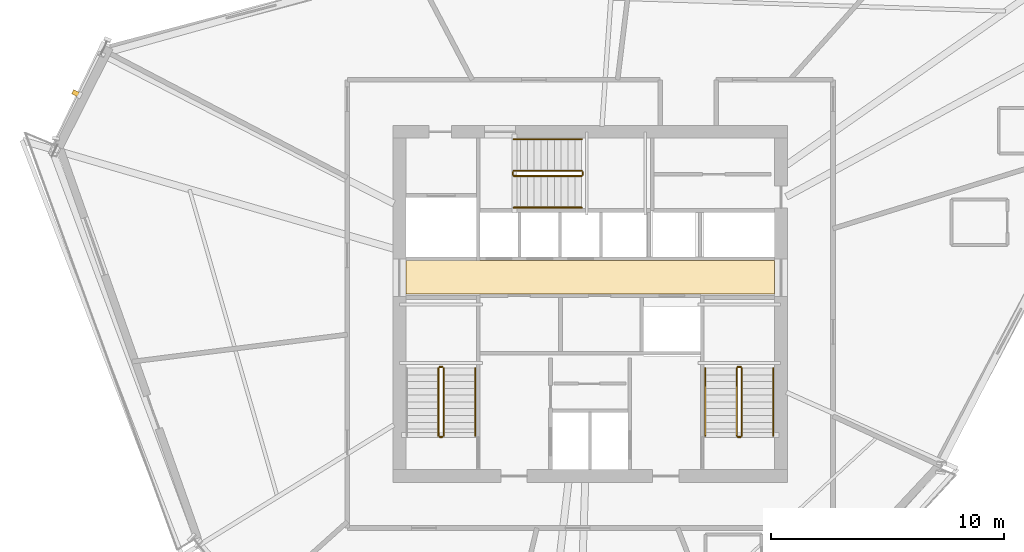
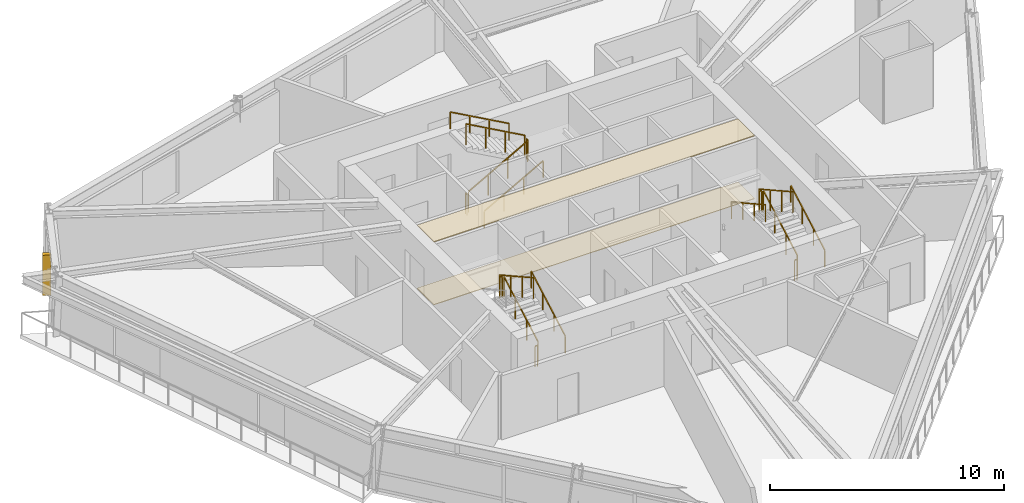
# One storey, part 14 of 15: 17 railings, 2 coverings, 1 shading device.
"""IFC4 building model written with IfcOpenShell, lengths in metres."""

from ifc_helpers import new_model, si_unit, direction, frame, origin, origin_2d, place, context, subcontext, project, spatial, polyline, rectangle, outline, extrude, source, transform, mapped, material, layer, layer_set, type_object, element, save


model = new_model("IFC4")

# Units and contexts
model_context = context("Model", 3, precision=1e-05, world=origin(), true_north=direction((0.0, 1.0)))
body_context = subcontext(model_context, "Body", "Model", "MODEL_VIEW")
ifc_project = project(units=[si_unit("LENGTHUNIT", "METRE"), si_unit("AREAUNIT", "SQUARE_METRE"), si_unit("VOLUMEUNIT", "CUBIC_METRE"), si_unit("PLANEANGLEUNIT", "RADIAN"), si_unit("MASSUNIT", "GRAM", prefix="KILO")], contexts=[model_context])

# Site, building, storey
site_placement = place(None, origin())
site = spatial("IfcSite", under=ifc_project, at=site_placement, CompositionType="ELEMENT")
building_placement = place(site_placement, origin())
building = spatial("IfcBuilding", under=site, at=building_placement, Name="Olszyna Solenne Hotel", CompositionType="ELEMENT")
storey_placement = place(building_placement, frame((0.0, 0.0, 160.800048828125)))
storey = spatial("IfcBuildingStorey", under=building, at=storey_placement, Name="L42", CompositionType="ELEMENT", Elevation=160.800048828125)

# Coverings
ifc_material_1 = material(Name="Mineral wool acoustic ceiling")
ifc_layer_1 = layer(ifc_material_1, 0.0400390625, Name="Mineral wool acoustic ceiling")
ifc_layer_set_1 = layer_set([ifc_layer_1], Name="Mineral wool acoustic ceiling")
covering_type_1 = type_object("IfcCoveringType", Name="CL-AC1", PredefinedType="CEILING", material=ifc_layer_set_1)
covering_1_placement = place(storey_placement, frame((0.0, 0.0, 3.27001953125)))
element("IfcCovering", 1, at=covering_1_placement, inside=storey, type_object=covering_type_1, Name="Lift lobby acoustic tile ceiling CL-L42-01", PredefinedType="CEILING", context=body_context, shape_type="SweptSolid", body=[
    extrude(outline(polyline([(30.10009765625, 27.030029296875), (45.89990234375, 27.030029296875), (45.89990234375, 28.4599609375), (30.10009765625, 28.4599609375), (30.10009765625, 27.030029296875)])), origin(), (0.0, 0.0, 1.0), 0.0400390625),
])
ifc_material_2 = material(Name="Ceramic floor tile")
ifc_layer_2 = layer(ifc_material_2, 0.030029296875, Name="Ceramic floor tile")
ifc_layer_set_2 = layer_set([ifc_layer_2], Name="Ceramic floor tile")
covering_type_2 = type_object("IfcCoveringType", Name="FL-TL1", PredefinedType="FLOORING", material=ifc_layer_set_2)
covering_2_placement = place(storey_placement, origin())
element("IfcCovering", 2, at=covering_2_placement, inside=storey, type_object=covering_type_2, Name="Lift lobby stoneware floor finish FLR-L42-01", PredefinedType="FLOORING", context=body_context, shape_type="SweptSolid", body=[
    extrude(outline(polyline([(30.10009765625, 27.030029296875), (45.89990234375, 27.030029296875), (45.89990234375, 28.4599609375), (30.10009765625, 28.4599609375), (30.10009765625, 27.030029296875)])), origin(), (0.0, 0.0, 1.0), 0.030029296875),
])

# Railings
ifc_material_3 = material(Name="Anodised bronze aluminium", Category="aluminium")
railing_type_1 = type_object("IfcRailingType", Name="GR-110", PredefinedType="BALUSTRADE", material=ifc_material_3)
railing_1_placement = place(storey_placement, frame((31.719970703125, 20.949951171875, 0.161376953125)))
element("IfcRailing", 3, at=railing_1_placement, inside=storey, type_object=railing_type_1, Name="L42 ST1 stair guard 1", PredefinedType="BALUSTRADE", context=body_context, shape_type="SweptSolid", body=[
    extrude(rectangle(XDim=0.048095703125, YDim=0.048095703125, at=origin_2d()), frame((0.0, 0.0, 1.076171875), z_axis=(0.0, 0.873858693841, 0.486179990537), x_axis=(-1.0, 0.0, 0.0)), (0.0, 0.0, 1.0), 3.31884765625),
    extrude(rectangle(XDim=0.0419921875, YDim=0.0419921875, at=origin_2d()), origin(), (0.0, 0.0, 1.0), 1.052001953125),
    extrude(rectangle(XDim=0.0419921875, YDim=0.0419921875, at=origin_2d()), frame((0.0, 0.966796875, 0.537841796875)), (0.0, 0.0, 1.0), 1.052001953125),
    extrude(rectangle(XDim=0.0419921875, YDim=0.0419921875, at=origin_2d()), frame((0.0, 1.933349609375, 1.07568359375)), (0.0, 0.0, 1.0), 1.052001953125),
    extrude(rectangle(XDim=0.0419921875, YDim=0.0419921875, at=origin_2d()), frame((0.0, 2.900146484375, 1.613525390625)), (0.0, 0.0, 1.0), 1.052001953125),
])
railing_2_placement = place(storey_placement, frame((31.669921875, 23.89990234375, 1.77490234375)))
element("IfcRailing", 4, at=railing_2_placement, inside=storey, type_object=railing_type_1, Name="L42 ST1 stair guard 2", PredefinedType="BALUSTRADE", context=body_context, shape_type="SweptSolid", body=[
    extrude(rectangle(XDim=0.048095703125, YDim=0.048095703125, at=origin_2d()), frame((0.0, 0.0, 1.076171875), z_axis=(-1.0, 0.0, 0.0), x_axis=(0.0, -1.0, 0.0)), (0.0, 0.0, 1.0), 0.119873046875),
    extrude(rectangle(XDim=0.0419921875, YDim=0.0419921875, at=origin_2d()), origin(), (0.0, 0.0, 1.0), 1.052001953125),
    extrude(rectangle(XDim=0.0419921875, YDim=0.0419921875, at=origin_2d()), frame((-0.119873046875, 0.0, 0.0)), (0.0, 0.0, 1.0), 1.052001953125),
])
railing_3_placement = place(storey_placement, frame((31.5, 23.85009765625, 1.936279296875)))
element("IfcRailing", 5, at=railing_3_placement, inside=storey, type_object=railing_type_1, Name="L42 ST1 stair guard 3", PredefinedType="BALUSTRADE", context=body_context, shape_type="SweptSolid", body=[
    extrude(rectangle(XDim=0.048095703125, YDim=0.048095703125, at=origin_2d()), frame((0.0, 0.0, 1.076171875), z_axis=(0.0, -0.873827439584, 0.48623616261), x_axis=(1.0, 0.0, 0.0)), (0.0, 0.0, 1.0), 3.31884765625),
    extrude(rectangle(XDim=0.0419921875, YDim=0.0419921875, at=origin_2d()), origin(), (0.0, 0.0, 1.0), 1.052001953125),
    extrude(rectangle(XDim=0.0419921875, YDim=0.0419921875, at=origin_2d()), frame((0.0, -0.966796875, 0.537841796875)), (0.0, 0.0, 1.0), 1.052001953125),
    extrude(rectangle(XDim=0.0419921875, YDim=0.0419921875, at=origin_2d()), frame((0.0, -1.933349609375, 1.075927734375)), (0.0, 0.0, 1.0), 1.052001953125),
    extrude(rectangle(XDim=0.0419921875, YDim=0.0419921875, at=origin_2d()), frame((0.0, -2.900146484375, 1.61376953125)), (0.0, 0.0, 1.0), 1.052001953125),
])
railing_4_placement = place(storey_placement, frame((31.669921875, 20.89990234375, 0.0)))
element("IfcRailing", 6, at=railing_4_placement, inside=storey, type_object=railing_type_1, Name="L42 ST1 stair guard 4", PredefinedType="BALUSTRADE", context=body_context, shape_type="SweptSolid", body=[
    extrude(rectangle(XDim=0.048095703125, YDim=0.048095703125, at=origin_2d()), frame((0.0, 0.0, 1.076171875), z_axis=(-1.0, 0.0, 0.0), x_axis=(0.0, -1.0, 0.0)), (0.0, 0.0, 1.0), 0.119873046875),
    extrude(rectangle(XDim=0.0419921875, YDim=0.0419921875, at=origin_2d()), origin(), (0.0, 0.0, 1.0), 1.052001953125),
    extrude(rectangle(XDim=0.0419921875, YDim=0.0419921875, at=origin_2d()), frame((-0.119873046875, 0.0, 0.0)), (0.0, 0.0, 1.0), 1.052001953125),
])
railing_5_placement = place(storey_placement, frame((44.5, 20.949951171875, 0.161376953125)))
element("IfcRailing", 7, at=railing_5_placement, inside=storey, type_object=railing_type_1, Name="L42 ST2 stair guard 1", PredefinedType="BALUSTRADE", context=body_context, shape_type="SweptSolid", body=[
    extrude(rectangle(XDim=0.048095703125, YDim=0.048095703125, at=origin_2d()), frame((0.0, 0.0, 1.076171875), z_axis=(0.0, 0.873858693841, 0.486179990537), x_axis=(-1.0, 0.0, 0.0)), (0.0, 0.0, 1.0), 3.31884765625),
    extrude(rectangle(XDim=0.0419921875, YDim=0.0419921875, at=origin_2d()), origin(), (0.0, 0.0, 1.0), 1.052001953125),
    extrude(rectangle(XDim=0.0419921875, YDim=0.0419921875, at=origin_2d()), frame((0.0, 0.966796875, 0.537841796875)), (0.0, 0.0, 1.0), 1.052001953125),
    extrude(rectangle(XDim=0.0419921875, YDim=0.0419921875, at=origin_2d()), frame((0.0, 1.933349609375, 1.07568359375)), (0.0, 0.0, 1.0), 1.052001953125),
    extrude(rectangle(XDim=0.0419921875, YDim=0.0419921875, at=origin_2d()), frame((0.0, 2.900146484375, 1.613525390625)), (0.0, 0.0, 1.0), 1.052001953125),
])
railing_6_placement = place(storey_placement, frame((44.449951171875, 23.89990234375, 1.77490234375)))
element("IfcRailing", 8, at=railing_6_placement, inside=storey, type_object=railing_type_1, Name="L42 ST2 stair guard 2", PredefinedType="BALUSTRADE", context=body_context, shape_type="SweptSolid", body=[
    extrude(rectangle(XDim=0.048095703125, YDim=0.048095703125, at=origin_2d()), frame((0.0, 0.0, 1.076171875), z_axis=(-1.0, 0.0, 0.0), x_axis=(0.0, -1.0, 0.0)), (0.0, 0.0, 1.0), 0.119873046875),
    extrude(rectangle(XDim=0.0419921875, YDim=0.0419921875, at=origin_2d()), origin(), (0.0, 0.0, 1.0), 1.052001953125),
    extrude(rectangle(XDim=0.0419921875, YDim=0.0419921875, at=origin_2d()), frame((-0.119873046875, 0.0, 0.0)), (0.0, 0.0, 1.0), 1.052001953125),
])
railing_7_placement = place(storey_placement, frame((44.280029296875, 23.85009765625, 1.936279296875)))
element("IfcRailing", 9, at=railing_7_placement, inside=storey, type_object=railing_type_1, Name="L42 ST2 stair guard 3", PredefinedType="BALUSTRADE", context=body_context, shape_type="SweptSolid", body=[
    extrude(rectangle(XDim=0.048095703125, YDim=0.048095703125, at=origin_2d()), frame((0.0, 0.0, 1.076171875), z_axis=(0.0, -0.873827439584, 0.48623616261), x_axis=(1.0, 0.0, 0.0)), (0.0, 0.0, 1.0), 3.31884765625),
    extrude(rectangle(XDim=0.0419921875, YDim=0.0419921875, at=origin_2d()), origin(), (0.0, 0.0, 1.0), 1.052001953125),
    extrude(rectangle(XDim=0.0419921875, YDim=0.0419921875, at=origin_2d()), frame((0.0, -0.966796875, 0.537841796875)), (0.0, 0.0, 1.0), 1.052001953125),
    extrude(rectangle(XDim=0.0419921875, YDim=0.0419921875, at=origin_2d()), frame((0.0, -1.933349609375, 1.075927734375)), (0.0, 0.0, 1.0), 1.052001953125),
    extrude(rectangle(XDim=0.0419921875, YDim=0.0419921875, at=origin_2d()), frame((0.0, -2.900146484375, 1.61376953125)), (0.0, 0.0, 1.0), 1.052001953125),
])
railing_8_placement = place(storey_placement, frame((44.449951171875, 20.89990234375, 0.0)))
element("IfcRailing", 10, at=railing_8_placement, inside=storey, type_object=railing_type_1, Name="L42 ST2 stair guard 4", PredefinedType="BALUSTRADE", context=body_context, shape_type="SweptSolid", body=[
    extrude(rectangle(XDim=0.048095703125, YDim=0.048095703125, at=origin_2d()), frame((0.0, 0.0, 1.076171875), z_axis=(-1.0, 0.0, 0.0), x_axis=(0.0, -1.0, 0.0)), (0.0, 0.0, 1.0), 0.119873046875),
    extrude(rectangle(XDim=0.0419921875, YDim=0.0419921875, at=origin_2d()), origin(), (0.0, 0.0, 1.0), 1.052001953125),
    extrude(rectangle(XDim=0.0419921875, YDim=0.0419921875, at=origin_2d()), frame((-0.119873046875, 0.0, 0.0)), (0.0, 0.0, 1.0), 1.052001953125),
])
railing_9_placement = place(storey_placement, frame((34.72998046875, 32.080078125, 0.161376953125)))
element("IfcRailing", 11, at=railing_9_placement, inside=storey, type_object=railing_type_1, Name="L42 ST3 stair guard 1", PredefinedType="BALUSTRADE", context=body_context, shape_type="SweptSolid", body=[
    extrude(rectangle(XDim=0.048095703125, YDim=0.048095703125, at=origin_2d()), frame((0.0, 0.0, 1.076171875), z_axis=(0.873841303929, 0.0, 0.486211245805), x_axis=(0.0, 1.0, 0.0)), (0.0, 0.0, 1.0), 3.318603515625),
    extrude(rectangle(XDim=0.0419921875, YDim=0.0419921875, at=origin_2d()), origin(), (0.0, 0.0, 1.0), 1.052001953125),
    extrude(rectangle(XDim=0.0419921875, YDim=0.0419921875, at=origin_2d()), frame((0.966552734375, 0.0, 0.537841796875)), (0.0, 0.0, 1.0), 1.052001953125),
    extrude(rectangle(XDim=0.0419921875, YDim=0.0419921875, at=origin_2d()), frame((1.933349609375, 0.0, 1.07568359375)), (0.0, 0.0, 1.0), 1.052001953125),
    extrude(rectangle(XDim=0.0419921875, YDim=0.0419921875, at=origin_2d()), frame((2.89990234375, 0.0, 1.613525390625)), (0.0, 0.0, 1.0), 1.052001953125),
])
railing_10_placement = place(storey_placement, frame((37.679931640625, 32.1298828125, 1.77490234375)))
element("IfcRailing", 12, at=railing_10_placement, inside=storey, type_object=railing_type_1, Name="L42 ST3 stair guard 2", PredefinedType="BALUSTRADE", context=body_context, shape_type="SweptSolid", body=[
    extrude(rectangle(XDim=0.048095703125, YDim=0.048095703125, at=origin_2d()), frame((0.0, 0.0, 1.076171875), z_axis=(0.0, 1.0, 0.0), x_axis=(-1.0, 0.0, 0.0)), (0.0, 0.0, 1.0), 0.1201171875),
    extrude(rectangle(XDim=0.0419921875, YDim=0.0419921875, at=origin_2d()), origin(), (0.0, 0.0, 1.0), 1.052001953125),
    extrude(rectangle(XDim=0.0419921875, YDim=0.0419921875, at=origin_2d()), frame((0.0, 0.1201171875, 0.0)), (0.0, 0.0, 1.0), 1.052001953125),
])
railing_11_placement = place(storey_placement, frame((37.6298828125, 32.300048828125, 1.936279296875)))
element("IfcRailing", 13, at=railing_11_placement, inside=storey, type_object=railing_type_1, Name="L42 ST3 stair guard 3", PredefinedType="BALUSTRADE", context=body_context, shape_type="SweptSolid", body=[
    extrude(rectangle(XDim=0.048095703125, YDim=0.048095703125, at=origin_2d()), frame((0.0, 0.0, 1.076171875), z_axis=(-0.873810046276, 0.0, 0.486267419253), x_axis=(0.0, -1.0, 0.0)), (0.0, 0.0, 1.0), 3.318603515625),
    extrude(rectangle(XDim=0.0419921875, YDim=0.0419921875, at=origin_2d()), origin(), (0.0, 0.0, 1.0), 1.052001953125),
    extrude(rectangle(XDim=0.0419921875, YDim=0.0419921875, at=origin_2d()), frame((-0.966552734375, 0.0, 0.537841796875)), (0.0, 0.0, 1.0), 1.052001953125),
    extrude(rectangle(XDim=0.0419921875, YDim=0.0419921875, at=origin_2d()), frame((-1.933349609375, 0.0, 1.075927734375)), (0.0, 0.0, 1.0), 1.052001953125),
    extrude(rectangle(XDim=0.0419921875, YDim=0.0419921875, at=origin_2d()), frame((-2.89990234375, 0.0, 1.61376953125)), (0.0, 0.0, 1.0), 1.052001953125),
])
railing_12_placement = place(storey_placement, frame((34.679931640625, 32.1298828125, 0.0)))
element("IfcRailing", 14, at=railing_12_placement, inside=storey, type_object=railing_type_1, Name="L42 ST3 stair guard 4", PredefinedType="BALUSTRADE", context=body_context, shape_type="SweptSolid", body=[
    extrude(rectangle(XDim=0.048095703125, YDim=0.048095703125, at=origin_2d()), frame((0.0, 0.0, 1.076171875), z_axis=(0.0, 1.0, 0.0), x_axis=(-1.0, 0.0, 0.0)), (0.0, 0.0, 1.0), 0.1201171875),
    extrude(rectangle(XDim=0.0419921875, YDim=0.0419921875, at=origin_2d()), origin(), (0.0, 0.0, 1.0), 1.052001953125),
    extrude(rectangle(XDim=0.0419921875, YDim=0.0419921875, at=origin_2d()), frame((0.0, 0.1201171875, 0.0)), (0.0, 0.0, 1.0), 1.052001953125),
])
ifc_material_4 = material(Name="Steel S355J2", Category="steel")
railing_type_2 = type_object("IfcRailingType", Name="HR-090", PredefinedType="HANDRAIL", material=ifc_material_4)
for number, where, name in (
    (15, (33.070068359375, 20.949951171875, 0.161376953125), "L42 ST1 stair handrail 1"),
    (16, (45.85009765625, 20.949951171875, 0.161376953125), "L42 ST2 stair handrail 1"),
):
    element("IfcRailing", number, at=place(storey_placement, frame(where)), inside=storey, type_object=railing_type_2, Name=name, PredefinedType="HANDRAIL", context=body_context, shape_type="SweptSolid", body=[
        extrude(rectangle(XDim=0.048095703125, YDim=0.048095703125, at=origin_2d()), frame((0.0, 0.0, 0.8759765625), z_axis=(0.0, 0.873858693841, 0.486179990537), x_axis=(-1.0, 0.0, 0.0)), (0.0, 0.0, 1.0), 3.31884765625),
        extrude(rectangle(XDim=0.0419921875, YDim=0.0419921875, at=origin_2d()), origin(), (0.0, 0.0, 1.0), 0.851806640625),
        extrude(rectangle(XDim=0.0419921875, YDim=0.0419921875, at=origin_2d()), frame((0.0, 0.966796875, 0.537841796875)), (0.0, 0.0, 1.0), 0.851806640625),
        extrude(rectangle(XDim=0.0419921875, YDim=0.0419921875, at=origin_2d()), frame((0.0, 1.933349609375, 1.07568359375)), (0.0, 0.0, 1.0), 0.851806640625),
        extrude(rectangle(XDim=0.0419921875, YDim=0.0419921875, at=origin_2d()), frame((0.0, 2.900146484375, 1.613525390625)), (0.0, 0.0, 1.0), 0.851806640625),
    ])
railing_13_placement = place(storey_placement, frame((42.929931640625, 23.85009765625, 1.936279296875)))
element("IfcRailing", 17, at=railing_13_placement, inside=storey, type_object=railing_type_2, Name="L42 ST2 stair handrail 2", PredefinedType="HANDRAIL", context=body_context, shape_type="SweptSolid", body=[
    extrude(rectangle(XDim=0.048095703125, YDim=0.048095703125, at=origin_2d()), frame((0.0, 0.0, 0.8759765625), z_axis=(0.0, -0.873827439584, 0.48623616261), x_axis=(1.0, 0.0, 0.0)), (0.0, 0.0, 1.0), 3.31884765625),
    extrude(rectangle(XDim=0.0419921875, YDim=0.0419921875, at=origin_2d()), origin(), (0.0, 0.0, 1.0), 0.851806640625),
    extrude(rectangle(XDim=0.0419921875, YDim=0.0419921875, at=origin_2d()), frame((0.0, -0.966796875, 0.537841796875)), (0.0, 0.0, 1.0), 0.851806640625),
    extrude(rectangle(XDim=0.0419921875, YDim=0.0419921875, at=origin_2d()), frame((0.0, -1.933349609375, 1.075927734375)), (0.0, 0.0, 1.0), 0.851806640625),
    extrude(rectangle(XDim=0.0419921875, YDim=0.0419921875, at=origin_2d()), frame((0.0, -2.900146484375, 1.61376953125)), (0.0, 0.0, 1.0), 0.851806640625),
])
railing_14_placement = place(storey_placement, frame((34.72998046875, 30.72998046875, 0.161376953125)))
element("IfcRailing", 18, at=railing_14_placement, inside=storey, type_object=railing_type_2, Name="L42 ST3 stair handrail 1", PredefinedType="HANDRAIL", context=body_context, shape_type="SweptSolid", body=[
    extrude(rectangle(XDim=0.048095703125, YDim=0.048095703125, at=origin_2d()), frame((0.0, 0.0, 0.8759765625), z_axis=(0.873841303929, 0.0, 0.486211245805), x_axis=(0.0, 1.0, 0.0)), (0.0, 0.0, 1.0), 3.318603515625),
    extrude(rectangle(XDim=0.0419921875, YDim=0.0419921875, at=origin_2d()), origin(), (0.0, 0.0, 1.0), 0.851806640625),
    extrude(rectangle(XDim=0.0419921875, YDim=0.0419921875, at=origin_2d()), frame((0.966552734375, 0.0, 0.537841796875)), (0.0, 0.0, 1.0), 0.851806640625),
    extrude(rectangle(XDim=0.0419921875, YDim=0.0419921875, at=origin_2d()), frame((1.933349609375, 0.0, 1.07568359375)), (0.0, 0.0, 1.0), 0.851806640625),
    extrude(rectangle(XDim=0.0419921875, YDim=0.0419921875, at=origin_2d()), frame((2.89990234375, 0.0, 1.613525390625)), (0.0, 0.0, 1.0), 0.851806640625),
])
railing_15_placement = place(storey_placement, frame((37.6298828125, 33.64990234375, 1.936279296875)))
element("IfcRailing", 19, at=railing_15_placement, inside=storey, type_object=railing_type_2, Name="L42 ST3 stair handrail 2", PredefinedType="HANDRAIL", context=body_context, shape_type="SweptSolid", body=[
    extrude(rectangle(XDim=0.048095703125, YDim=0.048095703125, at=origin_2d()), frame((0.0, 0.0, 0.8759765625), z_axis=(-0.873810046276, 0.0, 0.486267419253), x_axis=(0.0, -1.0, 0.0)), (0.0, 0.0, 1.0), 3.318603515625),
    extrude(rectangle(XDim=0.0419921875, YDim=0.0419921875, at=origin_2d()), origin(), (0.0, 0.0, 1.0), 0.851806640625),
    extrude(rectangle(XDim=0.0419921875, YDim=0.0419921875, at=origin_2d()), frame((-0.966552734375, 0.0, 0.537841796875)), (0.0, 0.0, 1.0), 0.851806640625),
    extrude(rectangle(XDim=0.0419921875, YDim=0.0419921875, at=origin_2d()), frame((-1.933349609375, 0.0, 1.075927734375)), (0.0, 0.0, 1.0), 0.851806640625),
    extrude(rectangle(XDim=0.0419921875, YDim=0.0419921875, at=origin_2d()), frame((-2.89990234375, 0.0, 1.61376953125)), (0.0, 0.0, 1.0), 0.851806640625),
])

# Shading device
ifc_material_5 = material(Name="Terracotta cladding", Category="masonry")
shading_device_type = type_object("IfcShadingDeviceType", Name="SH-FN1", PredefinedType="USERDEFINED", material=ifc_material_5)
shared_shape = source(origin(), body_context, "Body", "SweptSolid", [
    extrude(rectangle(XDim=0.199951171875, YDim=0.35009765625, at=origin_2d()), origin(), (0.0, 0.0, 1.0), 2.10009765625),
])
shading_device_placement = place(storey_placement, frame((15.990478515625, 35.61376953125, 0.310791015625), z_axis=(0.0, 0.0, 1.0), x_axis=(0.450877540689, 0.892585818452, 0.0)))
element("IfcShadingDevice", 20, at=shading_device_placement, inside=storey, type_object=shading_device_type, Name="Chamfer wind-corner terracotta fin FN-L42-06", ObjectType="FIN", PredefinedType="USERDEFINED", context=body_context, shape_type="MappedRepresentation", body=[
    mapped(shared_shape, transform((0.0, 0.0, 0.0), x_axis=(1.0, 0.0, 0.0), y_axis=(0.0, 1.0, 0.0), z_axis=(0.0, 0.0, 1.0), scale=1.0)),
])

save(model, "model.ifc")
